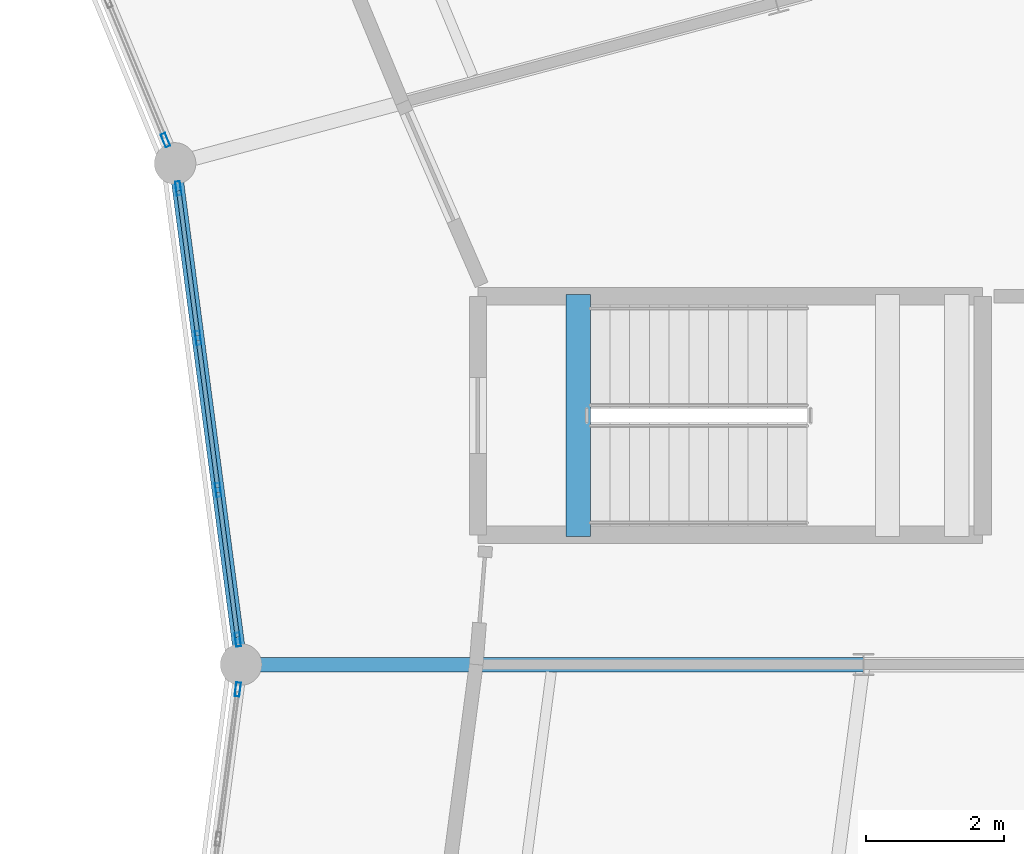
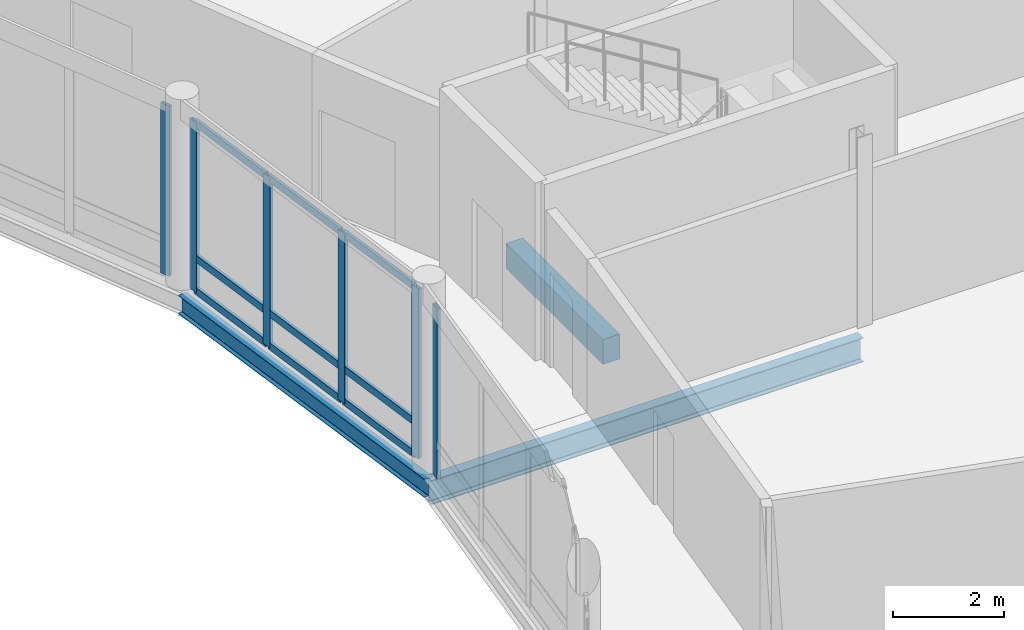
# One storey, part 105 of 170: 15 members, 3 beams, 3 elements without a shape of their own.
"""IFC4 building model written with IfcOpenShell, lengths in metres."""

from ifc_helpers import new_model, si_unit, direction, frame, origin, origin_2d, place, context, subcontext, project, spatial, rectangle, hollow_rectangle, i_section, extrude, material, material_profile, profile_set, type_object, element, aggregate, save


model = new_model("IFC4")

# Units and contexts
model_context = context("Model", 3, precision=1e-05, world=origin(), true_north=direction((0.0, 1.0)))
body_context = subcontext(model_context, "Body", "Model", "MODEL_VIEW")
ifc_project = project(units=[si_unit("LENGTHUNIT", "METRE"), si_unit("AREAUNIT", "SQUARE_METRE"), si_unit("VOLUMEUNIT", "CUBIC_METRE"), si_unit("PLANEANGLEUNIT", "RADIAN"), si_unit("MASSUNIT", "GRAM", prefix="KILO")], contexts=[model_context])

# Site, building, storey
site_placement = place(None, origin())
site = spatial("IfcSite", under=ifc_project, at=site_placement, CompositionType="ELEMENT")
building_placement = place(site_placement, origin())
building = spatial("IfcBuilding", under=site, at=building_placement, Name="Vondelvale Polytechnic", CompositionType="ELEMENT")
storey_placement = place(building_placement, frame((0.0, 0.0, 5.39990234375)))
storey = spatial("IfcBuildingStorey", under=building, at=storey_placement, Name="L01", CompositionType="ELEMENT", Elevation=5.39990234375)

# Beams
ifc_material_1 = material(Name="Concrete N40 (f'c = 40 MPa)", Category="concrete")
ifc_material_profile_1 = material_profile(ifc_material_1, rectangle(XDim=0.35009765625, YDim=0.550048828125, at=origin_2d()), Name="RC-BM-350x550")
ifc_profile_set_1 = profile_set([ifc_material_profile_1], Name="Concrete N40 (f'c = 40 MPa)")
beam_type_1 = type_object("IfcBeamType", Name="BM-RC350x550", PredefinedType="BEAM", material=ifc_profile_set_1)
beam_1_placement = place(storey_placement, frame((134.875, 73.85009765625, -0.27490234375), z_axis=(0.0, 1.0, 0.0), x_axis=(-1.0, 0.0, 0.0)))
element("IfcBeam", 1, at=beam_1_placement, inside=storey, type_object=beam_type_1, Name="L01 STHD B-06", PredefinedType="BEAM", context=body_context, shape_type="SweptSolid", body=[
    extrude(rectangle(XDim=0.35009765625, YDim=0.550048828125, at=origin_2d()), origin(), (0.0, 0.0, 1.0), 3.5),
])
ifc_material_2 = material(Name="Steel 300PLUS (fy = 300 MPa)", Category="steel")
ifc_material_profile_2 = material_profile(ifc_material_2, i_section(OverallWidth=0.177978515625, OverallDepth=0.406005859375, WebThickness=0.0078125, FlangeThickness=0.0126953125, FilletRadius=0.011474609375, at=origin_2d()), Name="410UB59.7")
ifc_profile_set_2 = profile_set([ifc_material_profile_2], Name="Steel 300PLUS (fy = 300 MPa)")
beam_type_2 = type_object("IfcBeamType", Name="BM-UB410", PredefinedType="BEAM", material=ifc_profile_set_2)
beam_2_placement = place(storey_placement, frame((130.0, 72.0, -0.48291015625), z_axis=(-0.13053140969, 0.991444174467, 0.0), x_axis=(-0.991444174467, -0.13053140969, 0.0)))
element("IfcBeam", 2, at=beam_2_placement, inside=storey, type_object=beam_type_2, Name="L01 RB B-14", PredefinedType="BEAM", context=body_context, shape_type="SweptSolid", body=[
    extrude(i_section(OverallWidth=0.177978515625, OverallDepth=0.406005859375, WebThickness=0.0078125, FlangeThickness=0.0126953125, FilletRadius=0.011474609375, at=origin_2d()), origin(), (0.0, 0.0, 1.0), 7.309326171875),
])
ifc_material_profile_3 = material_profile(ifc_material_2, i_section(OverallWidth=0.208984375, OverallDepth=0.532958984375, WebThickness=0.01025390625, FlangeThickness=0.015625, FilletRadius=0.013916015625, at=origin_2d()), Name="530UB92.4")
ifc_profile_set_3 = profile_set([ifc_material_profile_3], Name="Steel 300PLUS (fy = 300 MPa)")
beam_type_3 = type_object("IfcBeamType", Name="BM-UB530", PredefinedType="BEAM", material=ifc_profile_set_3)
beam_3_placement = place(storey_placement, frame((130.0, 72.0, -0.54638671875), z_axis=(1.0, 0.0, 0.0), x_axis=(0.0, 1.0, 0.0)))
element("IfcBeam", 3, at=beam_3_placement, inside=storey, type_object=beam_type_3, Name="L01 RG B-11", PredefinedType="BEAM", context=body_context, shape_type="SweptSolid", body=[
    extrude(i_section(OverallWidth=0.208984375, OverallDepth=0.532958984375, WebThickness=0.01025390625, FlangeThickness=0.015625, FilletRadius=0.013916015625, at=origin_2d()), origin(), (0.0, 0.0, 1.0), 9.0),
])

# Curtain wall, members
ifc_material_3 = material(Name="Anodised extruded aluminium 6063-T6", Category="aluminium")
curtain_wall_type = type_object("IfcCurtainWallType", Name="CW-RING-CLOISTER", PredefinedType="NOTDEFINED", material=ifc_material_3)
curtain_wall_1_placement = place(storey_placement, origin())
curtain_wall_1 = element("IfcCurtainWall", 4, at=curtain_wall_1_placement, inside=storey, type_object=curtain_wall_type, Name="L01 architectural curtain wall CW-03-072", PredefinedType="NOTDEFINED")
ifc_material_profile_4 = material_profile(ifc_material_3, hollow_rectangle(XDim=0.070068359375, YDim=0.199951171875, WallThickness=0.00390625, at=origin_2d()), Name="CW-MUL-200x70")
ifc_profile_set_4 = profile_set([ifc_material_profile_4], Name="Anodised extruded aluminium 6063-T6")
member_type_1 = type_object("IfcMemberType", Name="CW-MUL-70x200", PredefinedType="MULLION", material=ifc_profile_set_4)
member_1_placement = place(storey_placement, frame((129.95263671875, 72.360595703125, 0.0), z_axis=(0.0, 0.0, 1.0), x_axis=(-0.99144462243, -0.130528007165, 0.0)))
member_1 = element("IfcMember", 5, at=member_1_placement, type_object=member_type_1, Name="CW-03-072 mullion 1", PredefinedType="MULLION", context=body_context, shape_type="SweptSolid", body=[
    extrude(hollow_rectangle(XDim=0.070068359375, YDim=0.199951171875, WallThickness=0.00390625, at=origin_2d()), origin(), (0.0, 0.0, 1.0), 3.75),
])
member_2_placement = place(storey_placement, frame((129.667724609375, 74.524169921875, 0.0), z_axis=(0.0, 0.0, 1.0), x_axis=(-0.99144462243, -0.130528007165, 0.0)))
member_2 = element("IfcMember", 6, at=member_2_placement, type_object=member_type_1, Name="CW-03-072 mullion 2", PredefinedType="MULLION", context=body_context, shape_type="SweptSolid", body=[
    extrude(hollow_rectangle(XDim=0.070068359375, YDim=0.199951171875, WallThickness=0.00390625, at=origin_2d()), origin(), (0.0, 0.0, 1.0), 3.75),
])
member_3_placement = place(storey_placement, frame((129.378173828125, 76.72265625, 0.0), z_axis=(0.0, 0.0, 1.0), x_axis=(-0.99144462243, -0.130528007165, 0.0)))
member_3 = element("IfcMember", 7, at=member_3_placement, type_object=member_type_1, Name="CW-03-072 mullion 3", PredefinedType="MULLION", context=body_context, shape_type="SweptSolid", body=[
    extrude(hollow_rectangle(XDim=0.070068359375, YDim=0.199951171875, WallThickness=0.00390625, at=origin_2d()), origin(), (0.0, 0.0, 1.0), 3.75),
])
member_4_placement = place(storey_placement, frame((129.09326171875, 78.886474609375, 0.0), z_axis=(0.0, 0.0, 1.0), x_axis=(-0.99144462243, -0.130528007165, 0.0)))
member_4 = element("IfcMember", 8, at=member_4_placement, type_object=member_type_1, Name="CW-03-072 mullion 4", PredefinedType="MULLION", context=body_context, shape_type="SweptSolid", body=[
    extrude(hollow_rectangle(XDim=0.070068359375, YDim=0.199951171875, WallThickness=0.00390625, at=origin_2d()), origin(), (0.0, 0.0, 1.0), 3.75),
])

# Curtain wall, member
curtain_wall_2_placement = place(storey_placement, origin())
curtain_wall_2 = element("IfcCurtainWall", 9, at=curtain_wall_2_placement, inside=storey, type_object=curtain_wall_type, Name="L01 architectural curtain wall CW-03-077", PredefinedType="NOTDEFINED")
member_5_placement = place(storey_placement, frame((128.90625, 79.584228515625, 0.0), z_axis=(0.0, 0.0, 1.0), x_axis=(-0.923881562419, -0.382678531697, 0.0)))
member_5 = element("IfcMember", 10, at=member_5_placement, type_object=member_type_1, Name="CW-03-077 mullion 1", PredefinedType="MULLION", context=body_context, shape_type="SweptSolid", body=[
    extrude(hollow_rectangle(XDim=0.070068359375, YDim=0.199951171875, WallThickness=0.00390625, at=origin_2d()), origin(), (0.0, 0.0, 1.0), 3.75),
])
aggregate(curtain_wall_2, [member_5])

curtain_wall_3_placement = place(storey_placement, origin())
curtain_wall_3 = element("IfcCurtainWall", 11, at=curtain_wall_3_placement, inside=storey, type_object=curtain_wall_type, Name="L01 architectural curtain wall CW-03-374", PredefinedType="NOTDEFINED")
member_6_placement = place(storey_placement, frame((129.95263671875, 71.639404296875, 0.0), z_axis=(0.0, 0.0, 1.0), x_axis=(-0.99144462243, 0.130528007165, 0.0)))
member_6 = element("IfcMember", 12, at=member_6_placement, type_object=member_type_1, Name="CW-03-374 mullion 4", PredefinedType="MULLION", context=body_context, shape_type="SweptSolid", body=[
    extrude(hollow_rectangle(XDim=0.070068359375, YDim=0.199951171875, WallThickness=0.00390625, at=origin_2d()), origin(), (0.0, 0.0, 1.0), 3.75),
])
aggregate(curtain_wall_3, [member_6])

# Member
ifc_material_profile_5 = material_profile(ifc_material_3, hollow_rectangle(XDim=0.06494140625, YDim=0.159912109375, WallThickness=0.00341796875, at=origin_2d()), Name="CW-TRN-160x65")
ifc_profile_set_5 = profile_set([ifc_material_profile_5], Name="Anodised extruded aluminium 6063-T6")
member_type_2 = type_object("IfcMemberType", Name="CW-TRN-70x160", PredefinedType="USERDEFINED", material=ifc_profile_set_5)
member_7_placement = place(storey_placement, frame((129.947998046875, 72.395263671875, 0.03271484375), z_axis=(-0.130604000296, 0.99143461464, 0.0), x_axis=(-0.99143461464, -0.130604000296, 0.0)))
member_7 = element("IfcMember", 13, at=member_7_placement, type_object=member_type_2, Name="CW-03-072 transom 1.1", ObjectType="TRANSOM", PredefinedType="USERDEFINED", context=body_context, shape_type="SweptSolid", body=[
    extrude(hollow_rectangle(XDim=0.06494140625, YDim=0.159912109375, WallThickness=0.00341796875, at=origin_2d()), origin(), (0.0, 0.0, 1.0), 2.1123046875),
])

member_8_placement = place(storey_placement, frame((129.947998046875, 72.395263671875, 0.75), z_axis=(-0.130604000296, 0.99143461464, 0.0), x_axis=(-0.99143461464, -0.130604000296, 0.0)))
member_8 = element("IfcMember", 14, at=member_8_placement, type_object=member_type_2, Name="CW-03-072 transom 1.2", ObjectType="TRANSOM", PredefinedType="USERDEFINED", context=body_context, shape_type="SweptSolid", body=[
    extrude(hollow_rectangle(XDim=0.06494140625, YDim=0.159912109375, WallThickness=0.00341796875, at=origin_2d()), origin(), (0.0, 0.0, 1.0), 2.1123046875),
])

member_9_placement = place(storey_placement, frame((129.947998046875, 72.395263671875, 3.717529296875), z_axis=(-0.130604000296, 0.99143461464, 0.0), x_axis=(-0.99143461464, -0.130604000296, 0.0)))
member_9 = element("IfcMember", 15, at=member_9_placement, type_object=member_type_2, Name="CW-03-072 transom 1.3", ObjectType="TRANSOM", PredefinedType="USERDEFINED", context=body_context, shape_type="SweptSolid", body=[
    extrude(hollow_rectangle(XDim=0.06494140625, YDim=0.159912109375, WallThickness=0.00341796875, at=origin_2d()), origin(), (0.0, 0.0, 1.0), 2.1123046875),
])

member_10_placement = place(storey_placement, frame((129.6630859375, 74.558837890625, 0.03271484375), z_axis=(-0.1305103875, 0.991446941977, 0.0), x_axis=(-0.991446941977, -0.1305103875, 0.0)))
member_10 = element("IfcMember", 16, at=member_10_placement, type_object=member_type_2, Name="CW-03-072 transom 2.1", ObjectType="TRANSOM", PredefinedType="USERDEFINED", context=body_context, shape_type="SweptSolid", body=[
    extrude(hollow_rectangle(XDim=0.06494140625, YDim=0.159912109375, WallThickness=0.00341796875, at=origin_2d()), origin(), (0.0, 0.0, 1.0), 2.1474609375),
])

member_11_placement = place(storey_placement, frame((129.6630859375, 74.558837890625, 0.75), z_axis=(-0.1305103875, 0.991446941977, 0.0), x_axis=(-0.991446941977, -0.1305103875, 0.0)))
member_11 = element("IfcMember", 17, at=member_11_placement, type_object=member_type_2, Name="CW-03-072 transom 2.2", ObjectType="TRANSOM", PredefinedType="USERDEFINED", context=body_context, shape_type="SweptSolid", body=[
    extrude(hollow_rectangle(XDim=0.06494140625, YDim=0.159912109375, WallThickness=0.00341796875, at=origin_2d()), origin(), (0.0, 0.0, 1.0), 2.1474609375),
])

member_12_placement = place(storey_placement, frame((129.6630859375, 74.558837890625, 3.717529296875), z_axis=(-0.1305103875, 0.991446941977, 0.0), x_axis=(-0.991446941977, -0.1305103875, 0.0)))
member_12 = element("IfcMember", 18, at=member_12_placement, type_object=member_type_2, Name="CW-03-072 transom 2.3", ObjectType="TRANSOM", PredefinedType="USERDEFINED", context=body_context, shape_type="SweptSolid", body=[
    extrude(hollow_rectangle(XDim=0.06494140625, YDim=0.159912109375, WallThickness=0.00341796875, at=origin_2d()), origin(), (0.0, 0.0, 1.0), 2.1474609375),
])

member_13_placement = place(storey_placement, frame((129.373779296875, 76.75732421875, 0.03271484375), z_axis=(-0.130589036243, 0.991436585775, 0.0), x_axis=(-0.991436585775, -0.130589036243, 0.0)))
member_13 = element("IfcMember", 19, at=member_13_placement, type_object=member_type_2, Name="CW-03-072 transom 3.1", ObjectType="TRANSOM", PredefinedType="USERDEFINED", context=body_context, shape_type="SweptSolid", body=[
    extrude(hollow_rectangle(XDim=0.06494140625, YDim=0.159912109375, WallThickness=0.00341796875, at=origin_2d()), origin(), (0.0, 0.0, 1.0), 2.112548828125),
])

member_14_placement = place(storey_placement, frame((129.373779296875, 76.75732421875, 0.75), z_axis=(-0.130589036243, 0.991436585775, 0.0), x_axis=(-0.991436585775, -0.130589036243, 0.0)))
member_14 = element("IfcMember", 20, at=member_14_placement, type_object=member_type_2, Name="CW-03-072 transom 3.2", ObjectType="TRANSOM", PredefinedType="USERDEFINED", context=body_context, shape_type="SweptSolid", body=[
    extrude(hollow_rectangle(XDim=0.06494140625, YDim=0.159912109375, WallThickness=0.00341796875, at=origin_2d()), origin(), (0.0, 0.0, 1.0), 2.112548828125),
])

member_15_placement = place(storey_placement, frame((129.373779296875, 76.75732421875, 3.717529296875), z_axis=(-0.130589036243, 0.991436585775, 0.0), x_axis=(-0.991436585775, -0.130589036243, 0.0)))
member_15 = element("IfcMember", 21, at=member_15_placement, type_object=member_type_2, Name="CW-03-072 transom 3.3", ObjectType="TRANSOM", PredefinedType="USERDEFINED", context=body_context, shape_type="SweptSolid", body=[
    extrude(hollow_rectangle(XDim=0.06494140625, YDim=0.159912109375, WallThickness=0.00341796875, at=origin_2d()), origin(), (0.0, 0.0, 1.0), 2.112548828125),
])

aggregate(curtain_wall_1, [member_1, member_2, member_3, member_4, member_7, member_8, member_9, member_10, member_11, member_12, member_13, member_14, member_15])

save(model, "model.ifc")
